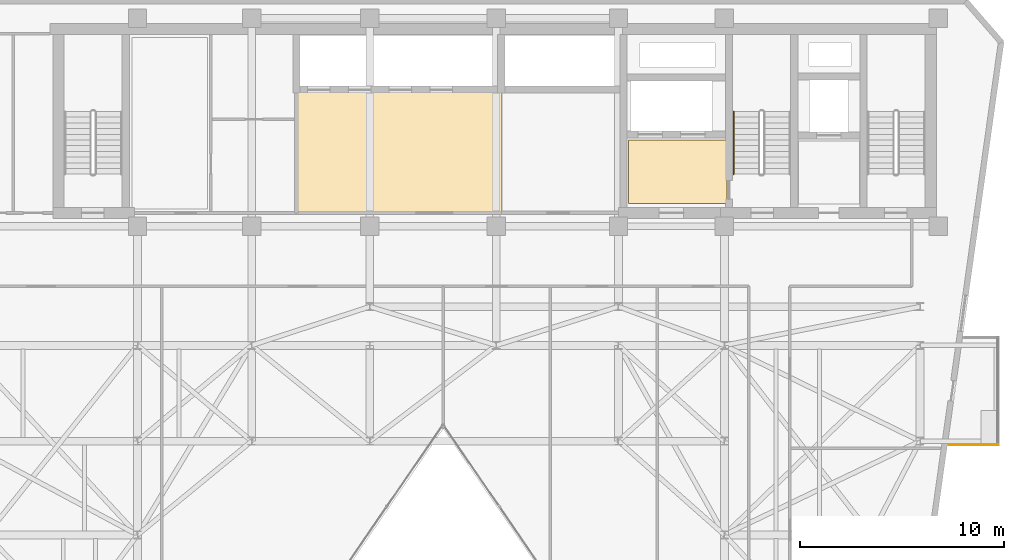
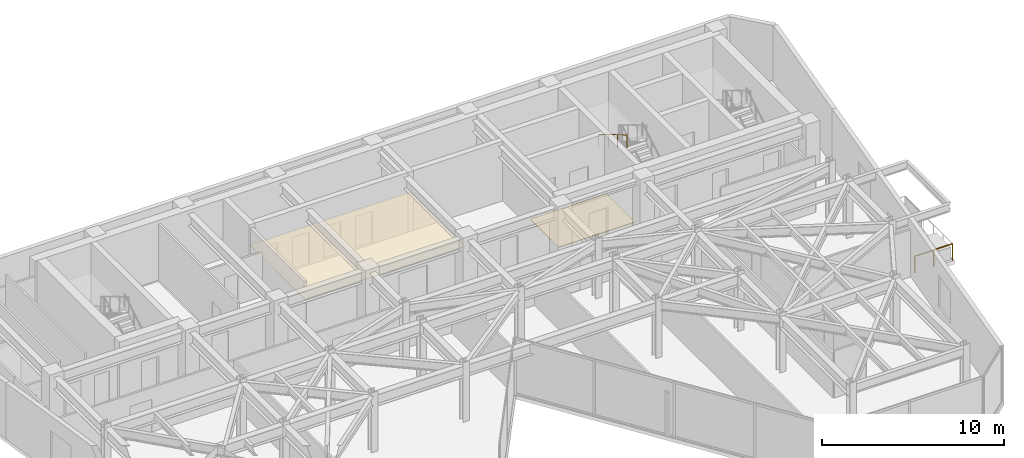
# One storey, part 20 of 21: 2 coverings, 2 railings.
"""IFC4 building model written with IfcOpenShell, lengths in metres."""

from ifc_helpers import new_model, si_unit, direction, frame, origin, origin_2d, place, context, subcontext, project, spatial, polyline, circle, outline, extrude, material, layer, layer_set, type_object, element, save


model = new_model("IFC4")

# Units and contexts
model_context = context("Model", 3, precision=1e-05, world=origin(), true_north=direction((0.0, 1.0)))
body_context = subcontext(model_context, "Body", "Model", "MODEL_VIEW")
ifc_project = project(units=[si_unit("LENGTHUNIT", "METRE"), si_unit("AREAUNIT", "SQUARE_METRE"), si_unit("VOLUMEUNIT", "CUBIC_METRE"), si_unit("PLANEANGLEUNIT", "RADIAN"), si_unit("MASSUNIT", "GRAM", prefix="KILO")], contexts=[model_context])

# Site, building, storey
site_placement = place(None, origin())
site = spatial("IfcSite", under=ifc_project, at=site_placement, CompositionType="ELEMENT")
building_placement = place(site_placement, origin())
building = spatial("IfcBuilding", under=site, at=building_placement, Name="Kravanh Interchange Tower", CompositionType="ELEMENT")
storey_placement = place(building_placement, frame((0.0, 0.0, 200.5)))
storey = spatial("IfcBuildingStorey", under=building, at=storey_placement, Name="L48", CompositionType="ELEMENT", Elevation=200.5)

# Coverings
ifc_material_1 = material(Name="Cementitious Terrazzo Tile")
ifc_layer_1 = layer(ifc_material_1, 0.030029296875)
ifc_layer_set_1 = layer_set([ifc_layer_1], Name="Honed Terrazzo Lobby Flooring 30mm")
covering_type_1 = type_object("IfcCoveringType", Name="Honed Terrazzo Lobby Flooring 30mm", PredefinedType="FLOORING", material=ifc_layer_set_1)
covering_1_placement = place(storey_placement, origin())
element("IfcCovering", 1, at=covering_1_placement, inside=storey, type_object=covering_type_1, Name="L48 Firefighting Lobby Floor Finish", PredefinedType="FLOORING", context=body_context, shape_type="SweptSolid", body=[
    extrude(outline(polyline([(56.1201171875, 38.4599609375), (51.300048828125, 38.4599609375), (51.300048828125, 41.580078125), (56.1201171875, 41.580078125), (56.1201171875, 38.4599609375)])), origin(), (0.0, 0.0, 1.0), 0.030029296875),
])
ifc_material_2 = material(Name="Acoustic Mineral Fibre Tile on Aluminium Grid", Category="aluminium")
ifc_layer_2 = layer(ifc_material_2, 0.02490234375)
ifc_layer_set_2 = layer_set([ifc_layer_2], Name="Perforated Acoustic Mineral Ceiling 25mm")
covering_type_2 = type_object("IfcCoveringType", Name="Perforated Acoustic Mineral Ceiling 25mm", PredefinedType="CEILING", material=ifc_layer_set_2)
covering_2_placement = place(storey_placement, frame((0.0, 0.0, 2.550048828125)))
element("IfcCovering", 2, at=covering_2_placement, inside=storey, type_object=covering_type_2, Name="L48 Mid-Rise Lift Lobby Suspended Ceiling", PredefinedType="CEILING", context=body_context, shape_type="SweptSolid", body=[
    extrude(outline(polyline([(45.090087890625, 37.9599609375), (34.93994140625, 37.9599609375), (34.93994140625, 43.989990234375), (45.090087890625, 43.989990234375), (45.090087890625, 37.9599609375)])), origin(), (0.0, 0.0, 1.0), 0.02490234375),
])

# Railings
ifc_material_3 = material(Name="Stainless Steel 316", Category="steel")
ifc_layer_3 = layer(ifc_material_3, 0.06005859375)
ifc_layer_set_3 = layer_set([ifc_layer_3], Name="Perimeter Balcony and Terrace Guardrail Stainless 316 1120mm")
railing_type_1 = type_object("IfcRailingType", Name="Perimeter Balcony and Terrace Guardrail Stainless 316 1120mm", PredefinedType="GUARDRAIL", material=ifc_layer_set_3)
railing_1_placement = place(storey_placement, frame((69.409912109375, 26.6298828125, 0.0)))
element("IfcRailing", 3, at=railing_1_placement, inside=storey, type_object=railing_type_1, Name="L48 E Balcony Guardrail 2", PredefinedType="GUARDRAIL", context=body_context, shape_type="SweptSolid", body=[
    extrude(circle(Radius=0.02392578125, at=origin_2d()), frame((0.0, 0.0, 1.09619140625), z_axis=(-1.0, 0.0, 0.0), x_axis=(0.0, -1.0, 0.0)), (0.0, 0.0, 1.0), 2.3876953125),
    extrude(circle(Radius=0.02099609375, at=origin_2d()), origin(), (0.0, 0.0, 1.0), 1.072021484375),
    extrude(circle(Radius=0.02099609375, at=origin_2d()), frame((-1.19384765625, 0.0, 0.0)), (0.0, 0.0, 1.0), 1.072021484375),
    extrude(circle(Radius=0.02099609375, at=origin_2d()), frame((-2.3876953125, 0.0, 0.0)), (0.0, 0.0, 1.0), 1.072021484375),
])
ifc_material_4 = material(Name="Stainless Steel 304", Category="steel")
ifc_layer_4 = layer(ifc_material_4, 0.044921875)
ifc_layer_set_4 = layer_set([ifc_layer_4], Name="Tubular Stair Handrail Stainless 304 900mm")
railing_type_2 = type_object("IfcRailingType", Name="Tubular Stair Handrail Stainless 304 900mm", PredefinedType="HANDRAIL", material=ifc_layer_set_4)
railing_2_placement = place(storey_placement, frame((56.449951171875, 42.97998046875, 2.166748046875)))
element("IfcRailing", 4, at=railing_2_placement, inside=storey, type_object=railing_type_2, Name="L48 ST2 stair handrail 2", PredefinedType="HANDRAIL", context=body_context, shape_type="SweptSolid", body=[
    extrude(circle(Radius=0.02392578125, at=origin_2d()), frame((0.0, 0.0, 0.8759765625), z_axis=(0.0, -0.859308565015, 0.511457515432), x_axis=(1.0, 0.0, 0.0)), (0.0, 0.0, 1.0), 3.58447265625),
    extrude(circle(Radius=0.02099609375, at=origin_2d()), origin(), (0.0, 0.0, 1.0), 0.851806640625),
    extrude(circle(Radius=0.02099609375, at=origin_2d()), frame((0.0, -1.026611328125, 0.611083984375)), (0.0, 0.0, 1.0), 0.851806640625),
    extrude(circle(Radius=0.02099609375, at=origin_2d()), frame((0.0, -2.053466796875, 1.22216796875)), (0.0, 0.0, 1.0), 0.851806640625),
    extrude(circle(Radius=0.02099609375, at=origin_2d()), frame((0.0, -3.080078125, 1.833251953125)), (0.0, 0.0, 1.0), 0.851806640625),
])

save(model, "model.ifc")
